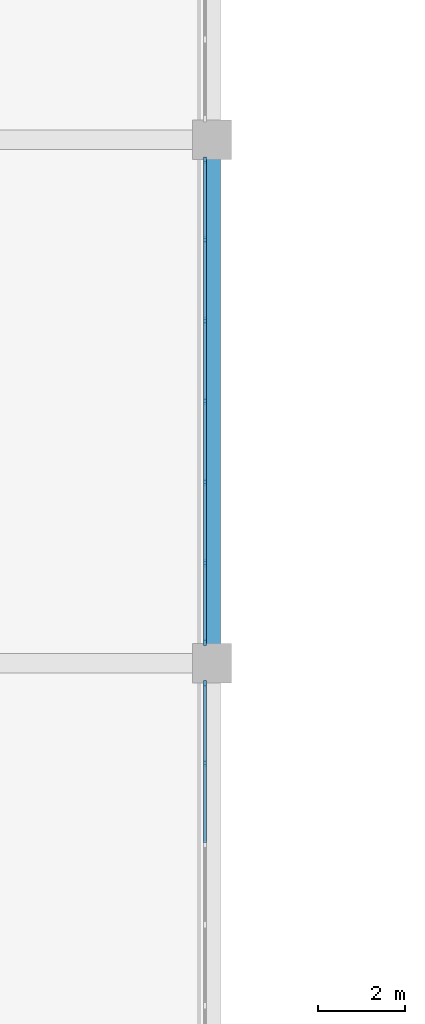
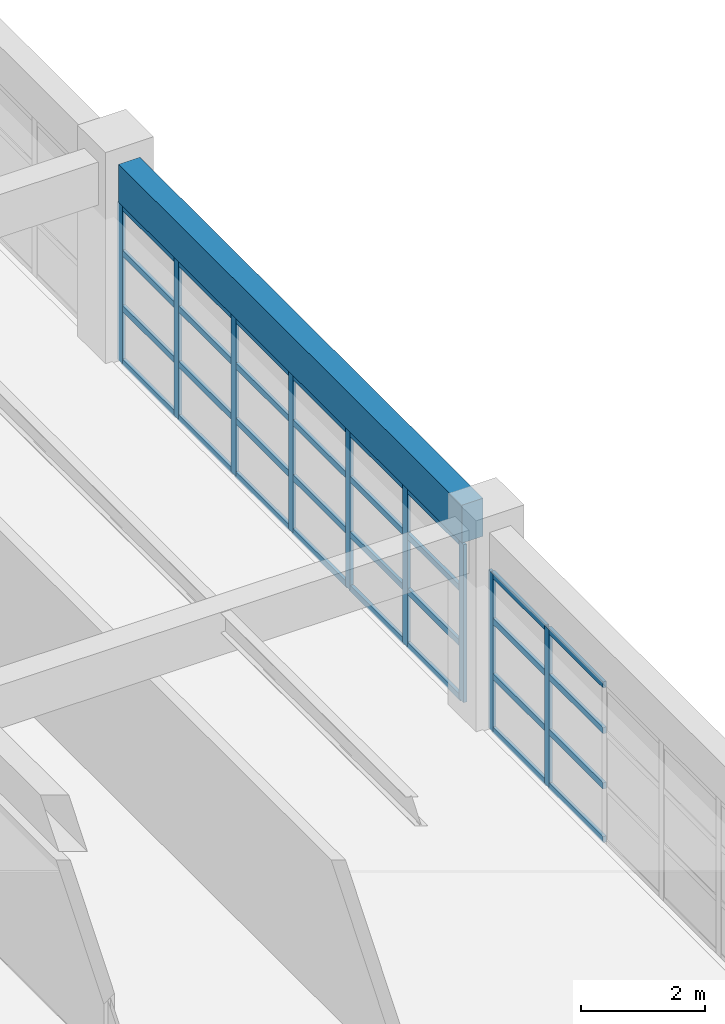
# One storey, part 53 of 100: 41 members, 1 beam, 2 elements without a shape of their own.
"""IFC4 building model written with IfcOpenShell, lengths in metres."""

from ifc_helpers import new_model, si_unit, direction, frame, origin, origin_2d, place, context, subcontext, project, spatial, rectangle, extrude, material, layer, layer_set, material_profile, profile_set, type_object, element, aggregate, save


model = new_model("IFC4")

# Units and contexts
model_context = context("Model", 3, precision=1e-05, world=origin(), true_north=direction((0.0, 1.0)))
body_context = subcontext(model_context, "Body", "Model", "MODEL_VIEW")
ifc_project = project(units=[si_unit("LENGTHUNIT", "METRE"), si_unit("AREAUNIT", "SQUARE_METRE"), si_unit("VOLUMEUNIT", "CUBIC_METRE"), si_unit("PLANEANGLEUNIT", "RADIAN"), si_unit("MASSUNIT", "GRAM", prefix="KILO")], contexts=[model_context])

# Site, building, storey
site_placement = place(None, origin())
site = spatial("IfcSite", under=ifc_project, at=site_placement, CompositionType="ELEMENT")
building_placement = place(site_placement, origin())
building = spatial("IfcBuilding", under=site, at=building_placement, Name="Kivolera Central Railway Station", CompositionType="ELEMENT")
storey_placement = place(building_placement, frame((0.0, 0.0, 5.39990234375)))
storey = spatial("IfcBuildingStorey", under=building, at=storey_placement, Name="L01", CompositionType="ELEMENT", Elevation=5.39990234375)

# Beam
ifc_material_1 = material(Name="Concrete C40/50", Category="concrete")
ifc_material_profile_1 = material_profile(ifc_material_1, rectangle(XDim=0.39990234375, YDim=0.75, at=origin_2d()), Name="RC 400x750")
ifc_profile_set_1 = profile_set([ifc_material_profile_1], Name="Concrete C40/50")
beam_type = type_object("IfcBeamType", Name="BM-RC-400x750", PredefinedType="BEAM", material=ifc_profile_set_1)
beam_placement = place(storey_placement, frame((138.0, 90.44189453125, 3.505126953125), z_axis=(0.0, 1.0, 0.0), x_axis=(-1.0, 0.0, 0.0)))
element("IfcBeam", 1, at=beam_placement, inside=storey, type_object=beam_type, Name="L01 Wing Y-Beam 14:H-J", PredefinedType="BEAM", context=body_context, shape_type="SweptSolid", body=[
    extrude(rectangle(XDim=0.39990234375, YDim=0.75, at=origin_2d()), origin(), (0.0, 0.0, 1.0), 11.1162109375),
])

# Curtain wall, members
ifc_material_2 = material(Name="Anodised aluminium", Category="aluminium")
ifc_layer = layer(ifc_material_2, 0.179931640625, Name="Anodised aluminium")
ifc_layer_set = layer_set([ifc_layer], Name="Anodised aluminium")
curtain_wall_type = type_object("IfcCurtainWallType", Name="CW-SYS-25", PredefinedType="NOTDEFINED", material=ifc_layer_set)
curtain_wall_1_placement = place(storey_placement, origin())
curtain_wall_1 = element("IfcCurtainWall", 2, at=curtain_wall_1_placement, inside=storey, type_object=curtain_wall_type, Name="L01 Curtain Wall CW-L01-CRTW-G", PredefinedType="NOTDEFINED")
ifc_material_profile_2 = material_profile(ifc_material_2, rectangle(XDim=0.06005859375, YDim=0.14990234375, at=origin_2d()), Name="ALU MULL 60x150")
ifc_profile_set_2 = profile_set([ifc_material_profile_2], Name="Anodised aluminium")
member_type_1 = type_object("IfcMemberType", Name="CWM-MUL-2", PredefinedType="MULLION", material=ifc_profile_set_2)
member_1_placement = place(storey_placement, frame((137.840087890625, 89.52490234375, -0.0048828125), z_axis=(0.0, 0.0, 1.0), x_axis=(1.0, 0.0, 0.0)))
member_1 = element("IfcMember", 3, at=member_1_placement, type_object=member_type_1, Name="CW-25 mullion 1", PredefinedType="MULLION", context=body_context, shape_type="SweptSolid", body=[
    extrude(rectangle(XDim=0.06005859375, YDim=0.14990234375, at=origin_2d()), origin(), (0.0, 0.0, 1.0), 3.123046875),
])
member_2_placement = place(storey_placement, frame((137.840087890625, 87.703369140625, -0.0048828125), z_axis=(0.0, 0.0, 1.0), x_axis=(1.0, 0.0, 0.0)))
member_2 = element("IfcMember", 4, at=member_2_placement, type_object=member_type_1, Name="CW-25 mullion 2", PredefinedType="MULLION", context=body_context, shape_type="SweptSolid", body=[
    extrude(rectangle(XDim=0.06005859375, YDim=0.14990234375, at=origin_2d()), origin(), (0.0, 0.0, 1.0), 3.123046875),
])

curtain_wall_2_placement = place(storey_placement, origin())
curtain_wall_2 = element("IfcCurtainWall", 5, at=curtain_wall_2_placement, inside=storey, type_object=curtain_wall_type, Name="L01 Curtain Wall CW-L01-CRTW-H", PredefinedType="NOTDEFINED")
member_3_placement = place(storey_placement, frame((137.840087890625, 101.52490234375, -0.0048828125), z_axis=(0.0, 0.0, 1.0), x_axis=(1.0, 0.0, 0.0)))
member_3 = element("IfcMember", 6, at=member_3_placement, type_object=member_type_1, Name="CW-25 mullion 1", PredefinedType="MULLION", context=body_context, shape_type="SweptSolid", body=[
    extrude(rectangle(XDim=0.06005859375, YDim=0.14990234375, at=origin_2d()), origin(), (0.0, 0.0, 1.0), 3.123046875),
])
member_4_placement = place(storey_placement, frame((137.840087890625, 99.703369140625, -0.0048828125), z_axis=(0.0, 0.0, 1.0), x_axis=(1.0, 0.0, 0.0)))
member_4 = element("IfcMember", 7, at=member_4_placement, type_object=member_type_1, Name="CW-25 mullion 2", PredefinedType="MULLION", context=body_context, shape_type="SweptSolid", body=[
    extrude(rectangle(XDim=0.06005859375, YDim=0.14990234375, at=origin_2d()), origin(), (0.0, 0.0, 1.0), 3.123046875),
])
member_5_placement = place(storey_placement, frame((137.840087890625, 97.8515625, -0.0048828125), z_axis=(0.0, 0.0, 1.0), x_axis=(1.0, 0.0, 0.0)))
member_5 = element("IfcMember", 8, at=member_5_placement, type_object=member_type_1, Name="CW-25 mullion 3", PredefinedType="MULLION", context=body_context, shape_type="SweptSolid", body=[
    extrude(rectangle(XDim=0.06005859375, YDim=0.14990234375, at=origin_2d()), origin(), (0.0, 0.0, 1.0), 3.123046875),
])
member_6_placement = place(storey_placement, frame((137.840087890625, 96.0, -0.0048828125), z_axis=(0.0, 0.0, 1.0), x_axis=(1.0, 0.0, 0.0)))
member_6 = element("IfcMember", 9, at=member_6_placement, type_object=member_type_1, Name="CW-25 mullion 4", PredefinedType="MULLION", context=body_context, shape_type="SweptSolid", body=[
    extrude(rectangle(XDim=0.06005859375, YDim=0.14990234375, at=origin_2d()), origin(), (0.0, 0.0, 1.0), 3.123046875),
])
member_7_placement = place(storey_placement, frame((137.840087890625, 94.1484375, -0.0048828125), z_axis=(0.0, 0.0, 1.0), x_axis=(1.0, 0.0, 0.0)))
member_7 = element("IfcMember", 10, at=member_7_placement, type_object=member_type_1, Name="CW-25 mullion 5", PredefinedType="MULLION", context=body_context, shape_type="SweptSolid", body=[
    extrude(rectangle(XDim=0.06005859375, YDim=0.14990234375, at=origin_2d()), origin(), (0.0, 0.0, 1.0), 3.123046875),
])
member_8_placement = place(storey_placement, frame((137.840087890625, 92.296630859375, -0.0048828125), z_axis=(0.0, 0.0, 1.0), x_axis=(1.0, 0.0, 0.0)))
member_8 = element("IfcMember", 11, at=member_8_placement, type_object=member_type_1, Name="CW-25 mullion 6", PredefinedType="MULLION", context=body_context, shape_type="SweptSolid", body=[
    extrude(rectangle(XDim=0.06005859375, YDim=0.14990234375, at=origin_2d()), origin(), (0.0, 0.0, 1.0), 3.123046875),
])
member_9_placement = place(storey_placement, frame((137.840087890625, 90.47509765625, -0.0048828125), z_axis=(0.0, 0.0, 1.0), x_axis=(1.0, 0.0, 0.0)))
member_9 = element("IfcMember", 12, at=member_9_placement, type_object=member_type_1, Name="CW-25 mullion 7", PredefinedType="MULLION", context=body_context, shape_type="SweptSolid", body=[
    extrude(rectangle(XDim=0.06005859375, YDim=0.14990234375, at=origin_2d()), origin(), (0.0, 0.0, 1.0), 3.123046875),
])

# Member
ifc_material_profile_3 = material_profile(ifc_material_2, rectangle(XDim=0.06005859375, YDim=0.1201171875, at=origin_2d()), Name="ALU TRAN 60x120")
ifc_profile_set_3 = profile_set([ifc_material_profile_3], Name="Anodised aluminium")
member_type_2 = type_object("IfcMemberType", Name="CWM-TRN-2", PredefinedType="USERDEFINED", material=ifc_profile_set_3)
member_10_placement = place(storey_placement, frame((137.840087890625, 89.4951171875, 0.030029296875), z_axis=(0.0, -1.0, 0.0), x_axis=(1.0, 0.0, 0.0)))
member_10 = element("IfcMember", 13, at=member_10_placement, type_object=member_type_2, Name="CW-25 transom 1.1", ObjectType="TRANSOM", PredefinedType="USERDEFINED", context=body_context, shape_type="SweptSolid", body=[
    extrude(rectangle(XDim=0.06005859375, YDim=0.1201171875, at=origin_2d()), origin(), (0.0, 0.0, 1.0), 1.76171875),
])

member_11_placement = place(storey_placement, frame((137.840087890625, 89.4951171875, 1.09130859375), z_axis=(0.0, -1.0, 0.0), x_axis=(1.0, 0.0, 0.0)))
member_11 = element("IfcMember", 14, at=member_11_placement, type_object=member_type_2, Name="CW-25 transom 1.2", ObjectType="TRANSOM", PredefinedType="USERDEFINED", context=body_context, shape_type="SweptSolid", body=[
    extrude(rectangle(XDim=0.06005859375, YDim=0.1201171875, at=origin_2d()), origin(), (0.0, 0.0, 1.0), 1.76171875),
])

member_12_placement = place(storey_placement, frame((137.840087890625, 89.4951171875, 2.1826171875), z_axis=(0.0, -1.0, 0.0), x_axis=(1.0, 0.0, 0.0)))
member_12 = element("IfcMember", 15, at=member_12_placement, type_object=member_type_2, Name="CW-25 transom 1.3", ObjectType="TRANSOM", PredefinedType="USERDEFINED", context=body_context, shape_type="SweptSolid", body=[
    extrude(rectangle(XDim=0.06005859375, YDim=0.1201171875, at=origin_2d()), origin(), (0.0, 0.0, 1.0), 1.76171875),
])

member_13_placement = place(storey_placement, frame((137.840087890625, 89.4951171875, 3.088134765625), z_axis=(0.0, -1.0, 0.0), x_axis=(1.0, 0.0, 0.0)))
member_13 = element("IfcMember", 16, at=member_13_placement, type_object=member_type_2, Name="CW-25 transom 1.4", ObjectType="TRANSOM", PredefinedType="USERDEFINED", context=body_context, shape_type="SweptSolid", body=[
    extrude(rectangle(XDim=0.06005859375, YDim=0.1201171875, at=origin_2d()), origin(), (0.0, 0.0, 1.0), 1.76171875),
])

member_14_placement = place(storey_placement, frame((137.840087890625, 87.67333984375, 0.030029296875), z_axis=(0.0, -1.0, 0.0), x_axis=(1.0, 0.0, 0.0)))
member_14 = element("IfcMember", 17, at=member_14_placement, type_object=member_type_2, Name="CW-25 transom 2.1", ObjectType="TRANSOM", PredefinedType="USERDEFINED", context=body_context, shape_type="SweptSolid", body=[
    extrude(rectangle(XDim=0.06005859375, YDim=0.1201171875, at=origin_2d()), origin(), (0.0, 0.0, 1.0), 1.791748046875),
])

member_15_placement = place(storey_placement, frame((137.840087890625, 87.67333984375, 1.09130859375), z_axis=(0.0, -1.0, 0.0), x_axis=(1.0, 0.0, 0.0)))
member_15 = element("IfcMember", 18, at=member_15_placement, type_object=member_type_2, Name="CW-25 transom 2.2", ObjectType="TRANSOM", PredefinedType="USERDEFINED", context=body_context, shape_type="SweptSolid", body=[
    extrude(rectangle(XDim=0.06005859375, YDim=0.1201171875, at=origin_2d()), origin(), (0.0, 0.0, 1.0), 1.791748046875),
])

member_16_placement = place(storey_placement, frame((137.840087890625, 87.67333984375, 2.1826171875), z_axis=(0.0, -1.0, 0.0), x_axis=(1.0, 0.0, 0.0)))
member_16 = element("IfcMember", 19, at=member_16_placement, type_object=member_type_2, Name="CW-25 transom 2.3", ObjectType="TRANSOM", PredefinedType="USERDEFINED", context=body_context, shape_type="SweptSolid", body=[
    extrude(rectangle(XDim=0.06005859375, YDim=0.1201171875, at=origin_2d()), origin(), (0.0, 0.0, 1.0), 1.791748046875),
])

member_17_placement = place(storey_placement, frame((137.840087890625, 87.67333984375, 3.088134765625), z_axis=(0.0, -1.0, 0.0), x_axis=(1.0, 0.0, 0.0)))
member_17 = element("IfcMember", 20, at=member_17_placement, type_object=member_type_2, Name="CW-25 transom 2.4", ObjectType="TRANSOM", PredefinedType="USERDEFINED", context=body_context, shape_type="SweptSolid", body=[
    extrude(rectangle(XDim=0.06005859375, YDim=0.1201171875, at=origin_2d()), origin(), (0.0, 0.0, 1.0), 1.791748046875),
])

aggregate(curtain_wall_1, [member_1, member_2, member_10, member_11, member_12, member_13, member_14, member_15, member_16, member_17])

member_18_placement = place(storey_placement, frame((137.840087890625, 101.4951171875, 0.030029296875), z_axis=(0.0, -1.0, 0.0), x_axis=(1.0, 0.0, 0.0)))
member_18 = element("IfcMember", 21, at=member_18_placement, type_object=member_type_2, Name="CW-25 transom 1.1", ObjectType="TRANSOM", PredefinedType="USERDEFINED", context=body_context, shape_type="SweptSolid", body=[
    extrude(rectangle(XDim=0.06005859375, YDim=0.1201171875, at=origin_2d()), origin(), (0.0, 0.0, 1.0), 1.76171875),
])

member_19_placement = place(storey_placement, frame((137.840087890625, 101.4951171875, 1.09130859375), z_axis=(0.0, -1.0, 0.0), x_axis=(1.0, 0.0, 0.0)))
member_19 = element("IfcMember", 22, at=member_19_placement, type_object=member_type_2, Name="CW-25 transom 1.2", ObjectType="TRANSOM", PredefinedType="USERDEFINED", context=body_context, shape_type="SweptSolid", body=[
    extrude(rectangle(XDim=0.06005859375, YDim=0.1201171875, at=origin_2d()), origin(), (0.0, 0.0, 1.0), 1.76171875),
])

member_20_placement = place(storey_placement, frame((137.840087890625, 101.4951171875, 2.1826171875), z_axis=(0.0, -1.0, 0.0), x_axis=(1.0, 0.0, 0.0)))
member_20 = element("IfcMember", 23, at=member_20_placement, type_object=member_type_2, Name="CW-25 transom 1.3", ObjectType="TRANSOM", PredefinedType="USERDEFINED", context=body_context, shape_type="SweptSolid", body=[
    extrude(rectangle(XDim=0.06005859375, YDim=0.1201171875, at=origin_2d()), origin(), (0.0, 0.0, 1.0), 1.76171875),
])

member_21_placement = place(storey_placement, frame((137.840087890625, 101.4951171875, 3.088134765625), z_axis=(0.0, -1.0, 0.0), x_axis=(1.0, 0.0, 0.0)))
member_21 = element("IfcMember", 24, at=member_21_placement, type_object=member_type_2, Name="CW-25 transom 1.4", ObjectType="TRANSOM", PredefinedType="USERDEFINED", context=body_context, shape_type="SweptSolid", body=[
    extrude(rectangle(XDim=0.06005859375, YDim=0.1201171875, at=origin_2d()), origin(), (0.0, 0.0, 1.0), 1.76171875),
])

member_22_placement = place(storey_placement, frame((137.840087890625, 99.67333984375, 0.030029296875), z_axis=(0.0, -1.0, 0.0), x_axis=(1.0, 0.0, 0.0)))
member_22 = element("IfcMember", 25, at=member_22_placement, type_object=member_type_2, Name="CW-25 transom 2.1", ObjectType="TRANSOM", PredefinedType="USERDEFINED", context=body_context, shape_type="SweptSolid", body=[
    extrude(rectangle(XDim=0.06005859375, YDim=0.1201171875, at=origin_2d()), origin(), (0.0, 0.0, 1.0), 1.791748046875),
])

member_23_placement = place(storey_placement, frame((137.840087890625, 99.67333984375, 1.09130859375), z_axis=(0.0, -1.0, 0.0), x_axis=(1.0, 0.0, 0.0)))
member_23 = element("IfcMember", 26, at=member_23_placement, type_object=member_type_2, Name="CW-25 transom 2.2", ObjectType="TRANSOM", PredefinedType="USERDEFINED", context=body_context, shape_type="SweptSolid", body=[
    extrude(rectangle(XDim=0.06005859375, YDim=0.1201171875, at=origin_2d()), origin(), (0.0, 0.0, 1.0), 1.791748046875),
])

member_24_placement = place(storey_placement, frame((137.840087890625, 99.67333984375, 2.1826171875), z_axis=(0.0, -1.0, 0.0), x_axis=(1.0, 0.0, 0.0)))
member_24 = element("IfcMember", 27, at=member_24_placement, type_object=member_type_2, Name="CW-25 transom 2.3", ObjectType="TRANSOM", PredefinedType="USERDEFINED", context=body_context, shape_type="SweptSolid", body=[
    extrude(rectangle(XDim=0.06005859375, YDim=0.1201171875, at=origin_2d()), origin(), (0.0, 0.0, 1.0), 1.791748046875),
])

member_25_placement = place(storey_placement, frame((137.840087890625, 99.67333984375, 3.088134765625), z_axis=(0.0, -1.0, 0.0), x_axis=(1.0, 0.0, 0.0)))
member_25 = element("IfcMember", 28, at=member_25_placement, type_object=member_type_2, Name="CW-25 transom 2.4", ObjectType="TRANSOM", PredefinedType="USERDEFINED", context=body_context, shape_type="SweptSolid", body=[
    extrude(rectangle(XDim=0.06005859375, YDim=0.1201171875, at=origin_2d()), origin(), (0.0, 0.0, 1.0), 1.791748046875),
])

member_26_placement = place(storey_placement, frame((137.840087890625, 97.82177734375, 0.030029296875), z_axis=(0.0, -1.0, 0.0), x_axis=(1.0, 0.0, 0.0)))
member_26 = element("IfcMember", 29, at=member_26_placement, type_object=member_type_2, Name="CW-25 transom 3.1", ObjectType="TRANSOM", PredefinedType="USERDEFINED", context=body_context, shape_type="SweptSolid", body=[
    extrude(rectangle(XDim=0.06005859375, YDim=0.1201171875, at=origin_2d()), origin(), (0.0, 0.0, 1.0), 1.791748046875),
])

member_27_placement = place(storey_placement, frame((137.840087890625, 97.82177734375, 1.09130859375), z_axis=(0.0, -1.0, 0.0), x_axis=(1.0, 0.0, 0.0)))
member_27 = element("IfcMember", 30, at=member_27_placement, type_object=member_type_2, Name="CW-25 transom 3.2", ObjectType="TRANSOM", PredefinedType="USERDEFINED", context=body_context, shape_type="SweptSolid", body=[
    extrude(rectangle(XDim=0.06005859375, YDim=0.1201171875, at=origin_2d()), origin(), (0.0, 0.0, 1.0), 1.791748046875),
])

member_28_placement = place(storey_placement, frame((137.840087890625, 97.82177734375, 2.1826171875), z_axis=(0.0, -1.0, 0.0), x_axis=(1.0, 0.0, 0.0)))
member_28 = element("IfcMember", 31, at=member_28_placement, type_object=member_type_2, Name="CW-25 transom 3.3", ObjectType="TRANSOM", PredefinedType="USERDEFINED", context=body_context, shape_type="SweptSolid", body=[
    extrude(rectangle(XDim=0.06005859375, YDim=0.1201171875, at=origin_2d()), origin(), (0.0, 0.0, 1.0), 1.791748046875),
])

member_29_placement = place(storey_placement, frame((137.840087890625, 97.82177734375, 3.088134765625), z_axis=(0.0, -1.0, 0.0), x_axis=(1.0, 0.0, 0.0)))
member_29 = element("IfcMember", 32, at=member_29_placement, type_object=member_type_2, Name="CW-25 transom 3.4", ObjectType="TRANSOM", PredefinedType="USERDEFINED", context=body_context, shape_type="SweptSolid", body=[
    extrude(rectangle(XDim=0.06005859375, YDim=0.1201171875, at=origin_2d()), origin(), (0.0, 0.0, 1.0), 1.791748046875),
])

member_30_placement = place(storey_placement, frame((137.840087890625, 95.969970703125, 0.030029296875), z_axis=(0.0, -1.0, 0.0), x_axis=(1.0, 0.0, 0.0)))
member_30 = element("IfcMember", 33, at=member_30_placement, type_object=member_type_2, Name="CW-25 transom 4.1", ObjectType="TRANSOM", PredefinedType="USERDEFINED", context=body_context, shape_type="SweptSolid", body=[
    extrude(rectangle(XDim=0.06005859375, YDim=0.1201171875, at=origin_2d()), origin(), (0.0, 0.0, 1.0), 1.791748046875),
])

member_31_placement = place(storey_placement, frame((137.840087890625, 95.969970703125, 1.09130859375), z_axis=(0.0, -1.0, 0.0), x_axis=(1.0, 0.0, 0.0)))
member_31 = element("IfcMember", 34, at=member_31_placement, type_object=member_type_2, Name="CW-25 transom 4.2", ObjectType="TRANSOM", PredefinedType="USERDEFINED", context=body_context, shape_type="SweptSolid", body=[
    extrude(rectangle(XDim=0.06005859375, YDim=0.1201171875, at=origin_2d()), origin(), (0.0, 0.0, 1.0), 1.791748046875),
])

member_32_placement = place(storey_placement, frame((137.840087890625, 95.969970703125, 2.1826171875), z_axis=(0.0, -1.0, 0.0), x_axis=(1.0, 0.0, 0.0)))
member_32 = element("IfcMember", 35, at=member_32_placement, type_object=member_type_2, Name="CW-25 transom 4.3", ObjectType="TRANSOM", PredefinedType="USERDEFINED", context=body_context, shape_type="SweptSolid", body=[
    extrude(rectangle(XDim=0.06005859375, YDim=0.1201171875, at=origin_2d()), origin(), (0.0, 0.0, 1.0), 1.791748046875),
])

member_33_placement = place(storey_placement, frame((137.840087890625, 95.969970703125, 3.088134765625), z_axis=(0.0, -1.0, 0.0), x_axis=(1.0, 0.0, 0.0)))
member_33 = element("IfcMember", 36, at=member_33_placement, type_object=member_type_2, Name="CW-25 transom 4.4", ObjectType="TRANSOM", PredefinedType="USERDEFINED", context=body_context, shape_type="SweptSolid", body=[
    extrude(rectangle(XDim=0.06005859375, YDim=0.1201171875, at=origin_2d()), origin(), (0.0, 0.0, 1.0), 1.791748046875),
])

member_34_placement = place(storey_placement, frame((137.840087890625, 94.118408203125, 0.030029296875), z_axis=(0.0, -1.0, 0.0), x_axis=(1.0, 0.0, 0.0)))
member_34 = element("IfcMember", 37, at=member_34_placement, type_object=member_type_2, Name="CW-25 transom 5.1", ObjectType="TRANSOM", PredefinedType="USERDEFINED", context=body_context, shape_type="SweptSolid", body=[
    extrude(rectangle(XDim=0.06005859375, YDim=0.1201171875, at=origin_2d()), origin(), (0.0, 0.0, 1.0), 1.791748046875),
])

member_35_placement = place(storey_placement, frame((137.840087890625, 94.118408203125, 1.09130859375), z_axis=(0.0, -1.0, 0.0), x_axis=(1.0, 0.0, 0.0)))
member_35 = element("IfcMember", 38, at=member_35_placement, type_object=member_type_2, Name="CW-25 transom 5.2", ObjectType="TRANSOM", PredefinedType="USERDEFINED", context=body_context, shape_type="SweptSolid", body=[
    extrude(rectangle(XDim=0.06005859375, YDim=0.1201171875, at=origin_2d()), origin(), (0.0, 0.0, 1.0), 1.791748046875),
])

member_36_placement = place(storey_placement, frame((137.840087890625, 94.118408203125, 2.1826171875), z_axis=(0.0, -1.0, 0.0), x_axis=(1.0, 0.0, 0.0)))
member_36 = element("IfcMember", 39, at=member_36_placement, type_object=member_type_2, Name="CW-25 transom 5.3", ObjectType="TRANSOM", PredefinedType="USERDEFINED", context=body_context, shape_type="SweptSolid", body=[
    extrude(rectangle(XDim=0.06005859375, YDim=0.1201171875, at=origin_2d()), origin(), (0.0, 0.0, 1.0), 1.791748046875),
])

member_37_placement = place(storey_placement, frame((137.840087890625, 94.118408203125, 3.088134765625), z_axis=(0.0, -1.0, 0.0), x_axis=(1.0, 0.0, 0.0)))
member_37 = element("IfcMember", 40, at=member_37_placement, type_object=member_type_2, Name="CW-25 transom 5.4", ObjectType="TRANSOM", PredefinedType="USERDEFINED", context=body_context, shape_type="SweptSolid", body=[
    extrude(rectangle(XDim=0.06005859375, YDim=0.1201171875, at=origin_2d()), origin(), (0.0, 0.0, 1.0), 1.791748046875),
])

member_38_placement = place(storey_placement, frame((137.840087890625, 92.2666015625, 0.030029296875), z_axis=(0.0, -1.0, 0.0), x_axis=(1.0, 0.0, 0.0)))
member_38 = element("IfcMember", 41, at=member_38_placement, type_object=member_type_2, Name="CW-25 transom 6.1", ObjectType="TRANSOM", PredefinedType="USERDEFINED", context=body_context, shape_type="SweptSolid", body=[
    extrude(rectangle(XDim=0.06005859375, YDim=0.1201171875, at=origin_2d()), origin(), (0.0, 0.0, 1.0), 1.76171875),
])

member_39_placement = place(storey_placement, frame((137.840087890625, 92.2666015625, 1.09130859375), z_axis=(0.0, -1.0, 0.0), x_axis=(1.0, 0.0, 0.0)))
member_39 = element("IfcMember", 42, at=member_39_placement, type_object=member_type_2, Name="CW-25 transom 6.2", ObjectType="TRANSOM", PredefinedType="USERDEFINED", context=body_context, shape_type="SweptSolid", body=[
    extrude(rectangle(XDim=0.06005859375, YDim=0.1201171875, at=origin_2d()), origin(), (0.0, 0.0, 1.0), 1.76171875),
])

member_40_placement = place(storey_placement, frame((137.840087890625, 92.2666015625, 2.1826171875), z_axis=(0.0, -1.0, 0.0), x_axis=(1.0, 0.0, 0.0)))
member_40 = element("IfcMember", 43, at=member_40_placement, type_object=member_type_2, Name="CW-25 transom 6.3", ObjectType="TRANSOM", PredefinedType="USERDEFINED", context=body_context, shape_type="SweptSolid", body=[
    extrude(rectangle(XDim=0.06005859375, YDim=0.1201171875, at=origin_2d()), origin(), (0.0, 0.0, 1.0), 1.76171875),
])

member_41_placement = place(storey_placement, frame((137.840087890625, 92.2666015625, 3.088134765625), z_axis=(0.0, -1.0, 0.0), x_axis=(1.0, 0.0, 0.0)))
member_41 = element("IfcMember", 44, at=member_41_placement, type_object=member_type_2, Name="CW-25 transom 6.4", ObjectType="TRANSOM", PredefinedType="USERDEFINED", context=body_context, shape_type="SweptSolid", body=[
    extrude(rectangle(XDim=0.06005859375, YDim=0.1201171875, at=origin_2d()), origin(), (0.0, 0.0, 1.0), 1.76171875),
])

aggregate(curtain_wall_2, [member_3, member_4, member_5, member_6, member_7, member_8, member_9, member_18, member_19, member_20, member_21, member_22, member_23, member_24, member_25, member_26, member_27, member_28, member_29, member_30, member_31, member_32, member_33, member_34, member_35, member_36, member_37, member_38, member_39, member_40, member_41])

save(model, "model.ifc")
